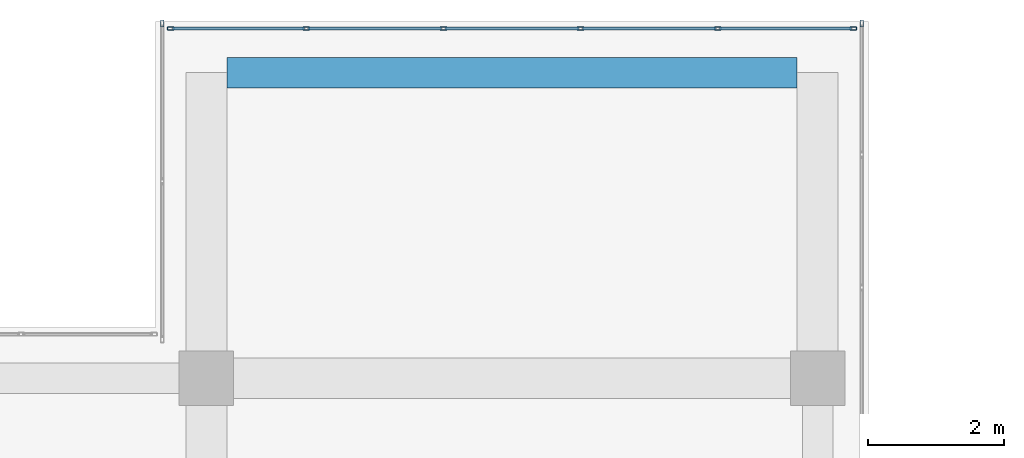
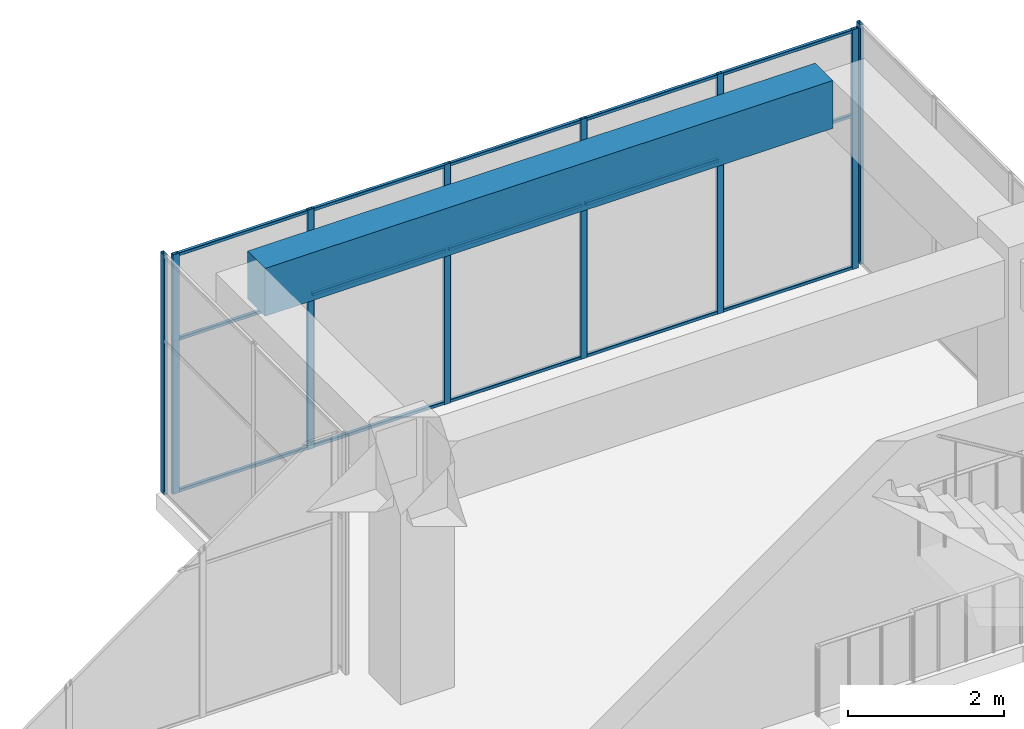
# One storey, part 36 of 55: 23 members, 1 beam, 3 elements without a shape of their own.
"""IFC4 building model written with IfcOpenShell, lengths in metres."""

from ifc_helpers import new_model, si_unit, direction, frame, origin, origin_2d, place, context, subcontext, project, spatial, rectangle, hollow_rectangle, extrude, material, layer, layer_set, material_profile, profile_set, type_object, element, aggregate, save


model = new_model("IFC4")

# Units and contexts
model_context = context("Model", 3, precision=1e-05, world=origin(), true_north=direction((0.0, 1.0)))
body_context = subcontext(model_context, "Body", "Model", "MODEL_VIEW")
ifc_project = project(units=[si_unit("LENGTHUNIT", "METRE"), si_unit("AREAUNIT", "SQUARE_METRE"), si_unit("VOLUMEUNIT", "CUBIC_METRE"), si_unit("PLANEANGLEUNIT", "RADIAN"), si_unit("MASSUNIT", "GRAM", prefix="KILO")], contexts=[model_context])

# Site, building, storey
site_placement = place(None, origin())
site = spatial("IfcSite", under=ifc_project, at=site_placement, CompositionType="ELEMENT")
building_placement = place(site_placement, origin())
building = spatial("IfcBuilding", under=site, at=building_placement, Name="Tuart Plaza Theatre", CompositionType="ELEMENT")
storey_placement = place(building_placement, frame((0.0, 0.0, 21.5)))
storey = spatial("IfcBuildingStorey", under=building, at=storey_placement, Name="L05", CompositionType="ELEMENT", Elevation=21.5)

# Beam
ifc_material_1 = material(Name="Concrete N40 (40 MPa)", Category="concrete")
ifc_material_profile_1 = material_profile(ifc_material_1, rectangle(XDim=0.449951171875, YDim=0.75, at=origin_2d()), Name="BEAM 450x750 Concrete N40 (40 MPa)")
ifc_profile_set_1 = profile_set([ifc_material_profile_1], Name="Concrete N40 (40 MPa)")
beam_type = type_object("IfcBeamType", Name="BEAM 450x750 Concrete N40 (40 MPa)", PredefinedType="BEAM", material=ifc_profile_set_1)
beam_placement = place(storey_placement, frame((132.300048828125, 96.5, 3.375), z_axis=(1.0, 0.0, 0.0), x_axis=(0.0, 1.0, 0.0)))
element("IfcBeam", 1, at=beam_placement, inside=storey, type_object=beam_type, Name="RB227", PredefinedType="BEAM", context=body_context, shape_type="SweptSolid", body=[
    extrude(rectangle(XDim=0.449951171875, YDim=0.75, at=origin_2d()), origin(), (0.0, 0.0, 1.0), 8.39990234375),
])

# Curtain wall, member
ifc_material_2 = material(Name="Aluminium and glass", Category="aluminium")
ifc_layer = layer(ifc_material_2, 0.10009765625)
ifc_layer_set = layer_set([ifc_layer], Name="CURTAIN WALL 2000 module")
curtain_wall_type = type_object("IfcCurtainWallType", Name="CURTAIN WALL 2000 module", PredefinedType="NOTDEFINED", material=ifc_layer_set)
curtain_wall_1_placement = place(storey_placement, origin())
curtain_wall_1 = element("IfcCurtainWall", 2, at=curtain_wall_1_placement, inside=storey, type_object=curtain_wall_type, Name="CW81", PredefinedType="NOTDEFINED")
ifc_material_3 = material(Name="Aluminium 6063-T5", Category="aluminium")
ifc_material_profile_2 = material_profile(ifc_material_3, hollow_rectangle(XDim=0.050048828125, YDim=0.10009765625, WallThickness=0.00390625, InnerFilletRadius=0.00390625, OuterFilletRadius=0.008056640625, at=origin_2d()), Name="RHS 100x50x4")
ifc_profile_set_2 = profile_set([ifc_material_profile_2], Name="Aluminium 6063-T5")
member_type_1 = type_object("IfcMemberType", Name="MULLION RHS 100x50x4", PredefinedType="MULLION", material=ifc_profile_set_2)
member_1_placement = place(storey_placement, frame((141.64990234375, 97.22509765625, 0.0), z_axis=(0.0, 0.0, 1.0), x_axis=(-1.0, 0.0, 0.0)))
member_1 = element("IfcMember", 3, at=member_1_placement, type_object=member_type_1, Name="CW81 mullion 8", PredefinedType="MULLION", context=body_context, shape_type="SweptSolid", body=[
    extrude(hollow_rectangle(XDim=0.050048828125, YDim=0.10009765625, WallThickness=0.00390625, InnerFilletRadius=0.00390625, OuterFilletRadius=0.008056640625, at=origin_2d()), origin(), (0.0, 0.0, 1.0), 3.75),
])
aggregate(curtain_wall_1, [member_1])

# Curtain wall, members
curtain_wall_2_placement = place(storey_placement, origin())
curtain_wall_2 = element("IfcCurtainWall", 4, at=curtain_wall_2_placement, inside=storey, type_object=curtain_wall_type, Name="CW82", PredefinedType="NOTDEFINED")
member_2_placement = place(storey_placement, frame((141.52490234375, 97.14990234375, 0.0), z_axis=(0.0, 0.0, 1.0), x_axis=(0.0, -1.0, 0.0)))
member_2 = element("IfcMember", 5, at=member_2_placement, type_object=member_type_1, Name="CW82 mullion 1", PredefinedType="MULLION", context=body_context, shape_type="SweptSolid", body=[
    extrude(hollow_rectangle(XDim=0.050048828125, YDim=0.10009765625, WallThickness=0.00390625, InnerFilletRadius=0.00390625, OuterFilletRadius=0.008056640625, at=origin_2d()), origin(), (0.0, 0.0, 1.0), 3.75),
])
member_3_placement = place(storey_placement, frame((139.530029296875, 97.14990234375, 0.0), z_axis=(0.0, 0.0, 1.0), x_axis=(0.0, -1.0, 0.0)))
member_3 = element("IfcMember", 6, at=member_3_placement, type_object=member_type_1, Name="CW82 mullion 2", PredefinedType="MULLION", context=body_context, shape_type="SweptSolid", body=[
    extrude(hollow_rectangle(XDim=0.050048828125, YDim=0.10009765625, WallThickness=0.00390625, InnerFilletRadius=0.00390625, OuterFilletRadius=0.008056640625, at=origin_2d()), origin(), (0.0, 0.0, 1.0), 3.75),
])
member_4_placement = place(storey_placement, frame((137.510009765625, 97.14990234375, 0.0), z_axis=(0.0, 0.0, 1.0), x_axis=(0.0, -1.0, 0.0)))
member_4 = element("IfcMember", 7, at=member_4_placement, type_object=member_type_1, Name="CW82 mullion 3", PredefinedType="MULLION", context=body_context, shape_type="SweptSolid", body=[
    extrude(hollow_rectangle(XDim=0.050048828125, YDim=0.10009765625, WallThickness=0.00390625, InnerFilletRadius=0.00390625, OuterFilletRadius=0.008056640625, at=origin_2d()), origin(), (0.0, 0.0, 1.0), 3.75),
])
member_5_placement = place(storey_placement, frame((135.489990234375, 97.14990234375, 0.0), z_axis=(0.0, 0.0, 1.0), x_axis=(0.0, -1.0, 0.0)))
member_5 = element("IfcMember", 8, at=member_5_placement, type_object=member_type_1, Name="CW82 mullion 4", PredefinedType="MULLION", context=body_context, shape_type="SweptSolid", body=[
    extrude(hollow_rectangle(XDim=0.050048828125, YDim=0.10009765625, WallThickness=0.00390625, InnerFilletRadius=0.00390625, OuterFilletRadius=0.008056640625, at=origin_2d()), origin(), (0.0, 0.0, 1.0), 3.75),
])
member_6_placement = place(storey_placement, frame((133.469970703125, 97.14990234375, 0.0), z_axis=(0.0, 0.0, 1.0), x_axis=(0.0, -1.0, 0.0)))
member_6 = element("IfcMember", 9, at=member_6_placement, type_object=member_type_1, Name="CW82 mullion 5", PredefinedType="MULLION", context=body_context, shape_type="SweptSolid", body=[
    extrude(hollow_rectangle(XDim=0.050048828125, YDim=0.10009765625, WallThickness=0.00390625, InnerFilletRadius=0.00390625, OuterFilletRadius=0.008056640625, at=origin_2d()), origin(), (0.0, 0.0, 1.0), 3.75),
])
member_7_placement = place(storey_placement, frame((131.47509765625, 97.14990234375, 0.0), z_axis=(0.0, 0.0, 1.0), x_axis=(0.0, -1.0, 0.0)))
member_7 = element("IfcMember", 10, at=member_7_placement, type_object=member_type_1, Name="CW82 mullion 6", PredefinedType="MULLION", context=body_context, shape_type="SweptSolid", body=[
    extrude(hollow_rectangle(XDim=0.050048828125, YDim=0.10009765625, WallThickness=0.00390625, InnerFilletRadius=0.00390625, OuterFilletRadius=0.008056640625, at=origin_2d()), origin(), (0.0, 0.0, 1.0), 3.75),
])

# Curtain wall, member
curtain_wall_3_placement = place(storey_placement, origin())
curtain_wall_3 = element("IfcCurtainWall", 11, at=curtain_wall_3_placement, inside=storey, type_object=curtain_wall_type, Name="CW83", PredefinedType="NOTDEFINED")
member_8_placement = place(storey_placement, frame((131.35009765625, 97.22509765625, 0.0), z_axis=(0.0, 0.0, 1.0), x_axis=(1.0, 0.0, 0.0)))
member_8 = element("IfcMember", 12, at=member_8_placement, type_object=member_type_1, Name="CW83 mullion 1", PredefinedType="MULLION", context=body_context, shape_type="SweptSolid", body=[
    extrude(hollow_rectangle(XDim=0.050048828125, YDim=0.10009765625, WallThickness=0.00390625, InnerFilletRadius=0.00390625, OuterFilletRadius=0.008056640625, at=origin_2d()), origin(), (0.0, 0.0, 1.0), 3.75),
])
aggregate(curtain_wall_3, [member_8])

# Member
ifc_material_4 = material(Name="Aluminium 6063-T5", Category="aluminium")
ifc_material_profile_3 = material_profile(ifc_material_4, hollow_rectangle(XDim=0.050048828125, YDim=0.050048828125, WallThickness=0.00390625, InnerFilletRadius=0.00390625, OuterFilletRadius=0.008056640625, at=origin_2d()), Name="RHS 50x50x4")
ifc_profile_set_3 = profile_set([ifc_material_profile_3], Name="Aluminium 6063-T5")
member_type_2 = type_object("IfcMemberType", Name="TRANSOM RHS 50x50x4", PredefinedType="USERDEFINED", material=ifc_profile_set_3)
member_9_placement = place(storey_placement, frame((141.5, 97.14990234375, 0.02490234375), z_axis=(-1.0, 0.0, 0.0), x_axis=(0.0, -1.0, 0.0)))
member_9 = element("IfcMember", 13, at=member_9_placement, type_object=member_type_2, Name="CW82 transom 1.1", ObjectType="TRANSOM", PredefinedType="USERDEFINED", context=body_context, shape_type="SweptSolid", body=[
    extrude(hollow_rectangle(XDim=0.050048828125, YDim=0.050048828125, WallThickness=0.00390625, InnerFilletRadius=0.00390625, OuterFilletRadius=0.008056640625, at=origin_2d()), origin(), (0.0, 0.0, 1.0), 1.945068359375),
])

member_10_placement = place(storey_placement, frame((141.5, 97.14990234375, 2.39990234375), z_axis=(-1.0, 0.0, 0.0), x_axis=(0.0, -1.0, 0.0)))
member_10 = element("IfcMember", 14, at=member_10_placement, type_object=member_type_2, Name="CW82 transom 1.2", ObjectType="TRANSOM", PredefinedType="USERDEFINED", context=body_context, shape_type="SweptSolid", body=[
    extrude(hollow_rectangle(XDim=0.050048828125, YDim=0.050048828125, WallThickness=0.00390625, InnerFilletRadius=0.00390625, OuterFilletRadius=0.008056640625, at=origin_2d()), origin(), (0.0, 0.0, 1.0), 1.945068359375),
])

member_11_placement = place(storey_placement, frame((141.5, 97.14990234375, 3.72509765625), z_axis=(-1.0, 0.0, 0.0), x_axis=(0.0, -1.0, 0.0)))
member_11 = element("IfcMember", 15, at=member_11_placement, type_object=member_type_2, Name="CW82 transom 1.3", ObjectType="TRANSOM", PredefinedType="USERDEFINED", context=body_context, shape_type="SweptSolid", body=[
    extrude(hollow_rectangle(XDim=0.050048828125, YDim=0.050048828125, WallThickness=0.00390625, InnerFilletRadius=0.00390625, OuterFilletRadius=0.008056640625, at=origin_2d()), origin(), (0.0, 0.0, 1.0), 1.945068359375),
])

member_12_placement = place(storey_placement, frame((139.5048828125, 97.14990234375, 0.02490234375), z_axis=(-1.0, 0.0, 0.0), x_axis=(0.0, -1.0, 0.0)))
member_12 = element("IfcMember", 16, at=member_12_placement, type_object=member_type_2, Name="CW82 transom 2.1", ObjectType="TRANSOM", PredefinedType="USERDEFINED", context=body_context, shape_type="SweptSolid", body=[
    extrude(hollow_rectangle(XDim=0.050048828125, YDim=0.050048828125, WallThickness=0.00390625, InnerFilletRadius=0.00390625, OuterFilletRadius=0.008056640625, at=origin_2d()), origin(), (0.0, 0.0, 1.0), 1.969970703125),
])

member_13_placement = place(storey_placement, frame((139.5048828125, 97.14990234375, 2.39990234375), z_axis=(-1.0, 0.0, 0.0), x_axis=(0.0, -1.0, 0.0)))
member_13 = element("IfcMember", 17, at=member_13_placement, type_object=member_type_2, Name="CW82 transom 2.2", ObjectType="TRANSOM", PredefinedType="USERDEFINED", context=body_context, shape_type="SweptSolid", body=[
    extrude(hollow_rectangle(XDim=0.050048828125, YDim=0.050048828125, WallThickness=0.00390625, InnerFilletRadius=0.00390625, OuterFilletRadius=0.008056640625, at=origin_2d()), origin(), (0.0, 0.0, 1.0), 1.969970703125),
])

member_14_placement = place(storey_placement, frame((139.5048828125, 97.14990234375, 3.72509765625), z_axis=(-1.0, 0.0, 0.0), x_axis=(0.0, -1.0, 0.0)))
member_14 = element("IfcMember", 18, at=member_14_placement, type_object=member_type_2, Name="CW82 transom 2.3", ObjectType="TRANSOM", PredefinedType="USERDEFINED", context=body_context, shape_type="SweptSolid", body=[
    extrude(hollow_rectangle(XDim=0.050048828125, YDim=0.050048828125, WallThickness=0.00390625, InnerFilletRadius=0.00390625, OuterFilletRadius=0.008056640625, at=origin_2d()), origin(), (0.0, 0.0, 1.0), 1.969970703125),
])

member_15_placement = place(storey_placement, frame((137.485107421875, 97.14990234375, 0.02490234375), z_axis=(-1.0, 0.0, 0.0), x_axis=(0.0, -1.0, 0.0)))
member_15 = element("IfcMember", 19, at=member_15_placement, type_object=member_type_2, Name="CW82 transom 3.1", ObjectType="TRANSOM", PredefinedType="USERDEFINED", context=body_context, shape_type="SweptSolid", body=[
    extrude(hollow_rectangle(XDim=0.050048828125, YDim=0.050048828125, WallThickness=0.00390625, InnerFilletRadius=0.00390625, OuterFilletRadius=0.008056640625, at=origin_2d()), origin(), (0.0, 0.0, 1.0), 1.97021484375),
])

member_16_placement = place(storey_placement, frame((137.485107421875, 97.14990234375, 2.39990234375), z_axis=(-1.0, 0.0, 0.0), x_axis=(0.0, -1.0, 0.0)))
member_16 = element("IfcMember", 20, at=member_16_placement, type_object=member_type_2, Name="CW82 transom 3.2", ObjectType="TRANSOM", PredefinedType="USERDEFINED", context=body_context, shape_type="SweptSolid", body=[
    extrude(hollow_rectangle(XDim=0.050048828125, YDim=0.050048828125, WallThickness=0.00390625, InnerFilletRadius=0.00390625, OuterFilletRadius=0.008056640625, at=origin_2d()), origin(), (0.0, 0.0, 1.0), 1.97021484375),
])

member_17_placement = place(storey_placement, frame((137.485107421875, 97.14990234375, 3.72509765625), z_axis=(-1.0, 0.0, 0.0), x_axis=(0.0, -1.0, 0.0)))
member_17 = element("IfcMember", 21, at=member_17_placement, type_object=member_type_2, Name="CW82 transom 3.3", ObjectType="TRANSOM", PredefinedType="USERDEFINED", context=body_context, shape_type="SweptSolid", body=[
    extrude(hollow_rectangle(XDim=0.050048828125, YDim=0.050048828125, WallThickness=0.00390625, InnerFilletRadius=0.00390625, OuterFilletRadius=0.008056640625, at=origin_2d()), origin(), (0.0, 0.0, 1.0), 1.97021484375),
])

member_18_placement = place(storey_placement, frame((135.465087890625, 97.14990234375, 0.02490234375), z_axis=(-1.0, 0.0, 0.0), x_axis=(0.0, -1.0, 0.0)))
member_18 = element("IfcMember", 22, at=member_18_placement, type_object=member_type_2, Name="CW82 transom 4.1", ObjectType="TRANSOM", PredefinedType="USERDEFINED", context=body_context, shape_type="SweptSolid", body=[
    extrude(hollow_rectangle(XDim=0.050048828125, YDim=0.050048828125, WallThickness=0.00390625, InnerFilletRadius=0.00390625, OuterFilletRadius=0.008056640625, at=origin_2d()), origin(), (0.0, 0.0, 1.0), 1.969970703125),
])

member_19_placement = place(storey_placement, frame((135.465087890625, 97.14990234375, 2.39990234375), z_axis=(-1.0, 0.0, 0.0), x_axis=(0.0, -1.0, 0.0)))
member_19 = element("IfcMember", 23, at=member_19_placement, type_object=member_type_2, Name="CW82 transom 4.2", ObjectType="TRANSOM", PredefinedType="USERDEFINED", context=body_context, shape_type="SweptSolid", body=[
    extrude(hollow_rectangle(XDim=0.050048828125, YDim=0.050048828125, WallThickness=0.00390625, InnerFilletRadius=0.00390625, OuterFilletRadius=0.008056640625, at=origin_2d()), origin(), (0.0, 0.0, 1.0), 1.969970703125),
])

member_20_placement = place(storey_placement, frame((135.465087890625, 97.14990234375, 3.72509765625), z_axis=(-1.0, 0.0, 0.0), x_axis=(0.0, -1.0, 0.0)))
member_20 = element("IfcMember", 24, at=member_20_placement, type_object=member_type_2, Name="CW82 transom 4.3", ObjectType="TRANSOM", PredefinedType="USERDEFINED", context=body_context, shape_type="SweptSolid", body=[
    extrude(hollow_rectangle(XDim=0.050048828125, YDim=0.050048828125, WallThickness=0.00390625, InnerFilletRadius=0.00390625, OuterFilletRadius=0.008056640625, at=origin_2d()), origin(), (0.0, 0.0, 1.0), 1.969970703125),
])

member_21_placement = place(storey_placement, frame((133.445068359375, 97.14990234375, 0.02490234375), z_axis=(-1.0, 0.0, 0.0), x_axis=(0.0, -1.0, 0.0)))
member_21 = element("IfcMember", 25, at=member_21_placement, type_object=member_type_2, Name="CW82 transom 5.1", ObjectType="TRANSOM", PredefinedType="USERDEFINED", context=body_context, shape_type="SweptSolid", body=[
    extrude(hollow_rectangle(XDim=0.050048828125, YDim=0.050048828125, WallThickness=0.00390625, InnerFilletRadius=0.00390625, OuterFilletRadius=0.008056640625, at=origin_2d()), origin(), (0.0, 0.0, 1.0), 1.945068359375),
])

member_22_placement = place(storey_placement, frame((133.445068359375, 97.14990234375, 2.39990234375), z_axis=(-1.0, 0.0, 0.0), x_axis=(0.0, -1.0, 0.0)))
member_22 = element("IfcMember", 26, at=member_22_placement, type_object=member_type_2, Name="CW82 transom 5.2", ObjectType="TRANSOM", PredefinedType="USERDEFINED", context=body_context, shape_type="SweptSolid", body=[
    extrude(hollow_rectangle(XDim=0.050048828125, YDim=0.050048828125, WallThickness=0.00390625, InnerFilletRadius=0.00390625, OuterFilletRadius=0.008056640625, at=origin_2d()), origin(), (0.0, 0.0, 1.0), 1.945068359375),
])

member_23_placement = place(storey_placement, frame((133.445068359375, 97.14990234375, 3.72509765625), z_axis=(-1.0, 0.0, 0.0), x_axis=(0.0, -1.0, 0.0)))
member_23 = element("IfcMember", 27, at=member_23_placement, type_object=member_type_2, Name="CW82 transom 5.3", ObjectType="TRANSOM", PredefinedType="USERDEFINED", context=body_context, shape_type="SweptSolid", body=[
    extrude(hollow_rectangle(XDim=0.050048828125, YDim=0.050048828125, WallThickness=0.00390625, InnerFilletRadius=0.00390625, OuterFilletRadius=0.008056640625, at=origin_2d()), origin(), (0.0, 0.0, 1.0), 1.945068359375),
])

aggregate(curtain_wall_2, [member_2, member_3, member_4, member_5, member_6, member_7, member_9, member_10, member_11, member_12, member_13, member_14, member_15, member_16, member_17, member_18, member_19, member_20, member_21, member_22, member_23])

save(model, "model.ifc")
